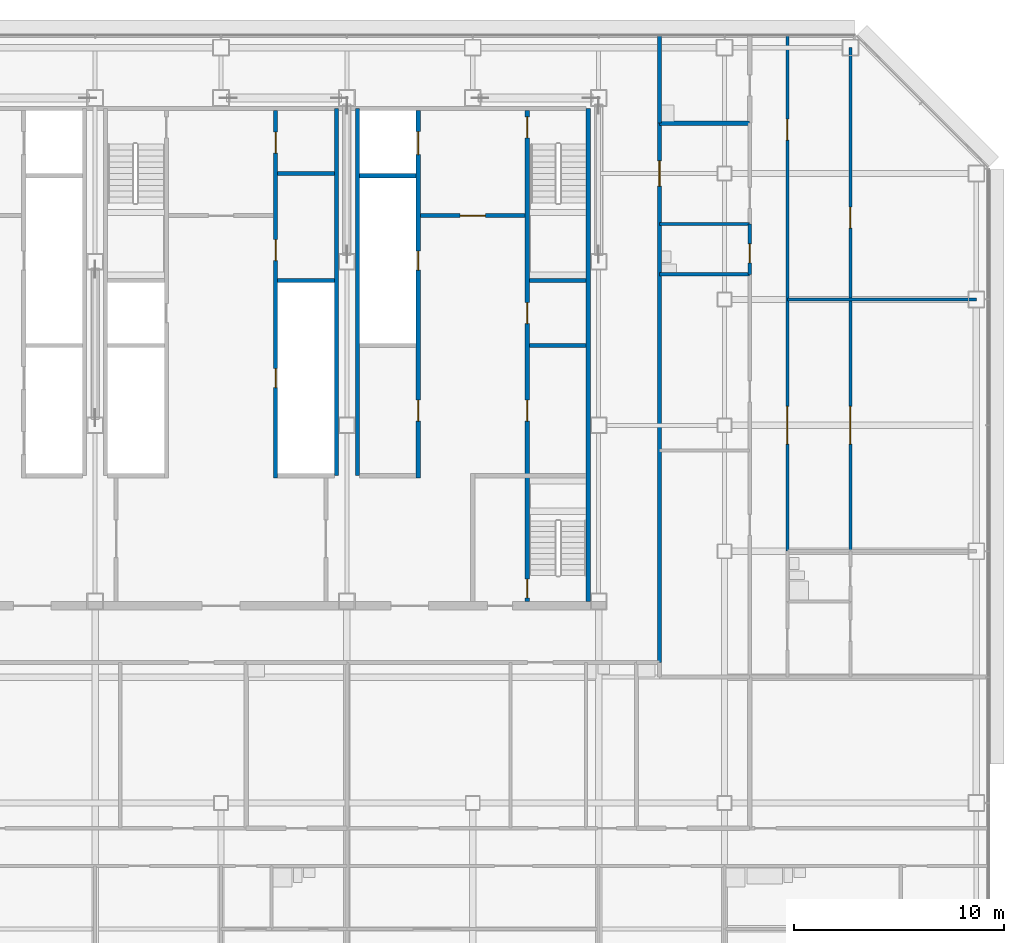
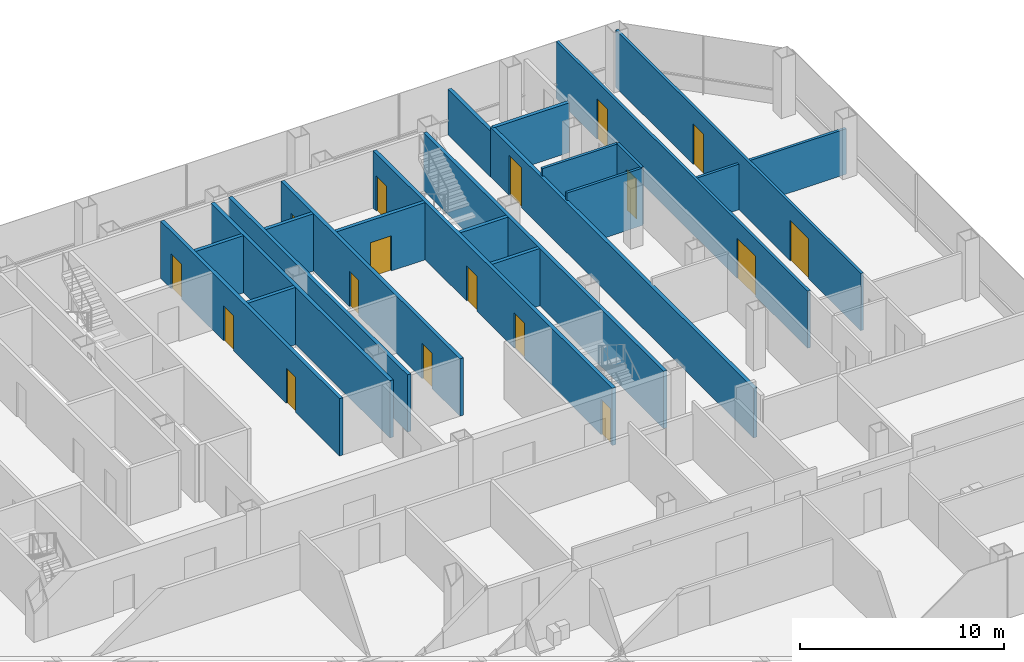
# One storey, part 22 of 25: 21 walls, 17 doors, 17 openings.
"""IFC4 building model written with IfcOpenShell, lengths in metres."""

from ifc_helpers import new_model, si_unit, direction, frame, frame_2d, origin, place, context, subcontext, project, spatial, rectangle, extrude, material, layer, layer_set, type_object, element, fill, save


model = new_model("IFC4")

# Units and contexts
model_context = context("Model", 3, precision=1e-05, world=origin(), true_north=direction((0.0, 1.0)))
body_context = subcontext(model_context, "Body", "Model", "MODEL_VIEW")
ifc_project = project(units=[si_unit("LENGTHUNIT", "METRE"), si_unit("AREAUNIT", "SQUARE_METRE"), si_unit("VOLUMEUNIT", "CUBIC_METRE"), si_unit("PLANEANGLEUNIT", "RADIAN"), si_unit("MASSUNIT", "GRAM", prefix="KILO")], contexts=[model_context])

# Site, building, storey
site_placement = place(None, origin())
site = spatial("IfcSite", under=ifc_project, at=site_placement, CompositionType="ELEMENT")
building_placement = place(site_placement, origin())
building = spatial("IfcBuilding", under=site, at=building_placement, Name="Sorahane Residences", CompositionType="ELEMENT")
storey_placement = place(building_placement, frame((0.0, 0.0, 130.39990234375)))
storey = spatial("IfcBuildingStorey", under=building, at=storey_placement, Name="L29", CompositionType="ELEMENT", Elevation=130.39990234375)

# Walls
ifc_material_1 = material(Name="Concrete C30", Category="concrete")
ifc_layer_1 = layer(ifc_material_1, 0.199951171875)
ifc_layer_set_1 = layer_set([ifc_layer_1], Name="Core face wall 200 EI 180")
wall_type_1 = type_object("IfcWallType", Name="Core face wall 200 EI 180", PredefinedType="SOLIDWALL", material=ifc_layer_set_1)
wall_1_placement = place(storey_placement, frame((41.5, 21.60009765625, 0.0), z_axis=(0.0, 0.0, 1.0), x_axis=(0.0, 1.0, 0.0)))
element("IfcWall", 1, at=wall_1_placement, inside=storey, type_object=wall_type_1, Name="L29 core face wall", PredefinedType="SOLIDWALL", context=body_context, shape_type="SweptSolid", body=[
    extrude(rectangle(XDim=23.5, YDim=0.199951171875, at=frame_2d((11.75, 0.0))), origin(), (0.0, 0.0, 1.0), 3.420166015625),
])
for number, where, z_axis, x_axis, name in (
    (2, (29.5, 27.60009765625, 0.0), (0.0, 0.0, 1.0), (0.0, 1.0, 0.0), "L29 core face wall"),
    (3, (30.5, 27.60009765625, 0.0), (0.0, 0.0, 1.0), (0.0, 1.0, 0.0), "L29 core face wall"),
):
    element("IfcWall", number, at=place(storey_placement, frame(where, z_axis=z_axis, x_axis=x_axis)), inside=storey, type_object=wall_type_1, Name=name, PredefinedType="SOLIDWALL", context=body_context, shape_type="SweptSolid", body=[
        extrude(rectangle(XDim=17.5, YDim=0.199951171875, at=frame_2d((8.75, 0.0))), origin(), (0.0, 0.0, 1.0), 3.420166015625),
    ])

# Wall, opening, door
ifc_material_2 = material(Name="Concrete blockwork C20 wall", Category="masonry")
ifc_layer_2 = layer(ifc_material_2, 0.199951171875)
ifc_layer_set_2 = layer_set([ifc_layer_2], Name="Corridor wall 200 EI 120")
wall_type_2 = type_object("IfcWallType", Name="Corridor wall 200 EI 120", PredefinedType="SOLIDWALL", material=ifc_layer_set_2)
wall_2_placement = place(storey_placement, frame((44.89990234375, 18.699951171875, 0.0), z_axis=(0.0, 0.0, 1.0), x_axis=(0.0, 1.0, 0.0)))
wall_2 = element("IfcWall", 4, at=wall_2_placement, inside=storey, type_object=wall_type_2, Name="L29 corridor wall", PredefinedType="SOLIDWALL", context=body_context, shape_type="SweptSolid", body=[
    extrude(rectangle(XDim=25.699951171875, YDim=0.199951171875, at=frame_2d((12.85009765625, 0.0))), origin(), (0.0, 0.0, 1.0), 2.97021484375),
])
opening_1_placement = place(wall_2_placement, frame((22.699951171875, 0.0, 0.0)))
opening_1 = element("IfcOpeningElement", 5, at=opening_1_placement, cuts=wall_2, Name="Opening L29-40", PredefinedType="OPENING", context=body_context, shape_type="SweptSolid", body=[
    extrude(rectangle(XDim=1.199951171875, YDim=2.39990234375, at=frame_2d((0.60009765625, 1.199951171875))), frame((0.0, 0.10986328125, 0.0), z_axis=(0.0, -1.0, 0.0), x_axis=(1.0, 0.0, 0.0)), (0.0, 0.0, 1.0), 0.219970703125),
])
ifc_material_3 = material(Name="Timber veneered fire door", Category="wood")
door_type_1 = type_object("IfcDoorType", Name="Flat entrance door 1200x2400 FD60", OperationType="NOTDEFINED", PredefinedType="DOOR", material=ifc_material_3)
door_1_placement = place(opening_1_placement, frame((1.199951171875, 0.0, 0.0), z_axis=(0.0, 0.0, 1.0), x_axis=(-1.0, 0.0, 0.0)))
door_1 = element("IfcDoor", 6, at=door_1_placement, inside=storey, type_object=door_type_1, Name="Flat entrance door L29-40", OperationType="SINGLE_SWING_LEFT", OverallHeight=2.39990234375, OverallWidth=1.199951171875, PredefinedType="DOOR", context=body_context, shape_type="SweptSolid", body=[
    extrude(rectangle(XDim=1.199951171875, YDim=2.39990234375, at=frame_2d((0.60009765625, 1.199951171875))), frame((0.0, 0.02490234375, 0.0), z_axis=(0.0, -1.0, 0.0), x_axis=(1.0, 0.0, 0.0)), (0.0, 0.0, 1.0), 0.050048828125),
])
fill(opening_1, door_1)

ifc_material_4 = material(Name="Concrete C30", Category="concrete")
ifc_layer_3 = layer(ifc_material_4, 0.199951171875)
ifc_layer_set_3 = layer_set([ifc_layer_3], Name="Front room wall 200 EI 120")
wall_type_3 = type_object("IfcWallType", Name="Front room wall 200 EI 120", PredefinedType="PARTITIONING", material=ifc_layer_set_3)
wall_3_placement = place(storey_placement, frame((33.5, 40.0, 0.0), z_axis=(0.0, 0.0, 1.0), x_axis=(1.0, 0.0, 0.0)))
wall_3 = element("IfcWall", 7, at=wall_3_placement, inside=storey, type_object=wall_type_3, Name="L29 front room wall", PredefinedType="PARTITIONING", context=body_context, shape_type="SweptSolid", body=[
    extrude(rectangle(XDim=5.0, YDim=0.199951171875, at=frame_2d((2.5, 0.0))), origin(), (0.0, 0.0, 1.0), 3.420166015625),
])
opening_2_placement = place(wall_3_placement, frame((1.89990234375, 0.0, 0.0)))
opening_2 = element("IfcOpeningElement", 8, at=opening_2_placement, cuts=wall_3, Name="Opening L29-C10", PredefinedType="OPENING", context=body_context, shape_type="SweptSolid", body=[
    extrude(rectangle(XDim=1.199951171875, YDim=2.10009765625, at=frame_2d((0.60009765625, 1.050048828125))), frame((0.0, 0.10986328125, 0.0), z_axis=(0.0, -1.0, 0.0), x_axis=(1.0, 0.0, 0.0)), (0.0, 0.0, 1.0), 0.219970703125),
])
ifc_material_5 = material(Name="Steel", Category="steel")
door_type_2 = type_object("IfcDoorType", Name="Front room door 1200x2100 FD120", OperationType="NOTDEFINED", PredefinedType="DOOR", material=ifc_material_5)
door_2_placement = place(opening_2_placement, frame((1.199951171875, 0.0, 0.0), z_axis=(0.0, 0.0, 1.0), x_axis=(-1.0, 0.0, 0.0)))
door_2 = element("IfcDoor", 9, at=door_2_placement, inside=storey, type_object=door_type_2, Name="Front room door Firefighting lobby FF2 front room L29", OperationType="DOUBLE_DOOR_SINGLE_SWING", OverallHeight=2.10009765625, OverallWidth=1.199951171875, PredefinedType="DOOR", context=body_context, shape_type="SweptSolid", body=[
    extrude(rectangle(XDim=1.199951171875, YDim=2.10009765625, at=frame_2d((0.60009765625, 1.050048828125))), frame((0.0, 0.02490234375, 0.0), z_axis=(0.0, -1.0, 0.0), x_axis=(1.0, 0.0, 0.0)), (0.0, 0.0, 1.0), 0.050048828125),
])
fill(opening_2, door_2)

# Walls
ifc_material_6 = material(Name="Concrete blockwork C20 wall", Category="masonry")
ifc_layer_4 = layer(ifc_material_6, 0.199951171875)
ifc_layer_set_4 = layer_set([ifc_layer_4], Name="Kitchen wall 200 EI 180")
wall_type_4 = type_object("IfcWallType", Name="Kitchen wall 200 EI 180", PredefinedType="SOLIDWALL", material=ifc_layer_set_4)
wall_4_placement = place(storey_placement, frame((44.89990234375, 44.39990234375, 0.0), z_axis=(0.0, 0.0, 1.0), x_axis=(0.0, 1.0, 0.0)))
element("IfcWall", 10, at=wall_4_placement, inside=storey, type_object=wall_type_4, Name="L29 kitchen wall", PredefinedType="SOLIDWALL", context=body_context, shape_type="SweptSolid", body=[
    extrude(rectangle(XDim=4.2001953125, YDim=0.199951171875, at=frame_2d((2.10009765625, 0.0))), origin(), (0.0, 0.0, 1.0), 2.72021484375),
])
wall_5_placement = place(storey_placement, frame((44.89990234375, 44.39990234375, 0.0), z_axis=(0.0, 0.0, 1.0), x_axis=(1.0, 0.0, 0.0)))
element("IfcWall", 11, at=wall_5_placement, inside=storey, type_object=wall_type_4, Name="L29 kitchen wall", PredefinedType="SOLIDWALL", context=body_context, shape_type="SweptSolid", body=[
    extrude(rectangle(XDim=4.300048828125, YDim=0.199951171875, at=frame_2d((2.14990234375, 0.0))), origin(), (0.0, 0.0, 1.0), 2.97021484375),
])

# Wall, openings, doors
ifc_material_7 = material(Name="Concrete C30", Category="concrete")
ifc_layer_5 = layer(ifc_material_7, 0.199951171875)
ifc_layer_set_5 = layer_set([ifc_layer_5], Name="Lift shaft wall 200 EI 120")
wall_type_5 = type_object("IfcWallType", Name="Lift shaft wall 200 EI 120", PredefinedType="SOLIDWALL", material=ifc_layer_set_5)
wall_6_placement = place(storey_placement, frame((33.39990234375, 27.5, 0.0), z_axis=(0.0, 0.0, 1.0), x_axis=(0.0, 1.0, 0.0)))
wall_6 = element("IfcWall", 12, at=wall_6_placement, inside=storey, type_object=wall_type_5, Name="L29 lift shaft wall", PredefinedType="SOLIDWALL", context=body_context, shape_type="SweptSolid", body=[
    extrude(rectangle(XDim=17.5, YDim=0.199951171875, at=frame_2d((8.75, 0.0))), origin(), (0.0, 0.0, 1.0), 3.420166015625),
])
opening_3_placement = place(wall_6_placement, frame((15.39990234375, 0.0, 0.0)))
opening_3 = element("IfcOpeningElement", 13, at=opening_3_placement, cuts=wall_6, Name="Opening L29-C11", PredefinedType="OPENING", context=body_context, shape_type="SweptSolid", body=[
    extrude(rectangle(XDim=1.10009765625, YDim=2.10009765625, at=frame_2d((0.550048828125, 1.050048828125))), frame((0.0, 0.10986328125, 0.0), z_axis=(0.0, -1.0, 0.0), x_axis=(1.0, 0.0, 0.0)), (0.0, 0.0, 1.0), 0.219970703125),
])
opening_4_placement = place(wall_6_placement, frame((2.699951171875, 0.0, 0.0)))
opening_4 = element("IfcOpeningElement", 14, at=opening_4_placement, cuts=wall_6, Name="Opening L29-C20", PredefinedType="OPENING", context=body_context, shape_type="SweptSolid", body=[
    extrude(rectangle(XDim=1.0, YDim=2.10009765625, at=frame_2d((0.5, 1.050048828125))), frame((0.0, 0.10986328125, 0.0), z_axis=(0.0, -1.0, 0.0), x_axis=(1.0, 0.0, 0.0)), (0.0, 0.0, 1.0), 0.219970703125),
])
opening_5_placement = place(wall_6_placement, frame((9.89990234375, 0.0, 0.0)))
opening_5 = element("IfcOpeningElement", 15, at=opening_5_placement, cuts=wall_6, Name="Opening L29-C27", PredefinedType="OPENING", context=body_context, shape_type="SweptSolid", body=[
    extrude(rectangle(XDim=0.89990234375, YDim=2.10009765625, at=frame_2d((0.449951171875, 1.050048828125))), frame((0.0, 0.10986328125, 0.0), z_axis=(0.0, -1.0, 0.0), x_axis=(1.0, 0.0, 0.0)), (0.0, 0.0, 1.0), 0.219970703125),
])
ifc_material_8 = material(Name="Aluminium and stainless steel", Category="steel")
door_type_3 = type_object("IfcDoorType", Name="Lift landing door 1100x2100 E 60", OperationType="NOTDEFINED", PredefinedType="DOOR", material=ifc_material_8)
door_3_placement = place(opening_3_placement, origin())
door_3 = element("IfcDoor", 16, at=door_3_placement, inside=storey, type_object=door_type_3, Name="Lift landing door FF2 L29", OperationType="DOUBLE_DOOR_SLIDING", OverallHeight=2.10009765625, OverallWidth=1.10009765625, PredefinedType="DOOR", context=body_context, shape_type="SweptSolid", body=[
    extrude(rectangle(XDim=1.10009765625, YDim=2.10009765625, at=frame_2d((0.550048828125, 1.050048828125))), frame((0.0, 0.02490234375, 0.0), z_axis=(0.0, -1.0, 0.0), x_axis=(1.0, 0.0, 0.0)), (0.0, 0.0, 1.0), 0.050048828125),
])
fill(opening_3, door_3)
ifc_material_9 = material(Name="Steel", Category="steel")
door_type_4 = type_object("IfcDoorType", Name="Riser door 900x2100 FD120", OperationType="NOTDEFINED", PredefinedType="DOOR", material=ifc_material_9)
door_4_placement = place(opening_5_placement, frame((0.89990234375, 0.0, 0.0), z_axis=(0.0, 0.0, 1.0), x_axis=(-1.0, 0.0, 0.0)))
door_4 = element("IfcDoor", 17, at=door_4_placement, inside=storey, type_object=door_type_4, Name="Riser door R2 L29", OperationType="SINGLE_SWING_LEFT", OverallHeight=2.10009765625, OverallWidth=0.89990234375, PredefinedType="DOOR", context=body_context, shape_type="SweptSolid", body=[
    extrude(rectangle(XDim=0.89990234375, YDim=2.10009765625, at=frame_2d((0.449951171875, 1.050048828125))), frame((0.0, 0.02490234375, 0.0), z_axis=(0.0, -1.0, 0.0), x_axis=(1.0, 0.0, 0.0)), (0.0, 0.0, 1.0), 0.050048828125),
])
fill(opening_5, door_4)
ifc_material_10 = material(Name="Steel", Category="steel")
door_type_5 = type_object("IfcDoorType", Name="Service room door 1000x2100 FD60", OperationType="NOTDEFINED", PredefinedType="DOOR", material=ifc_material_10)
door_5_placement = place(opening_4_placement, origin())
door_5 = element("IfcDoor", 18, at=door_5_placement, inside=storey, type_object=door_type_5, Name="Service room door Linen store L29", OperationType="SINGLE_SWING_RIGHT", OverallHeight=2.10009765625, OverallWidth=1.0, PredefinedType="DOOR", context=body_context, shape_type="SweptSolid", body=[
    extrude(rectangle(XDim=1.0, YDim=2.10009765625, at=frame_2d((0.5, 1.050048828125))), frame((0.0, 0.02490234375, 0.0), z_axis=(0.0, -1.0, 0.0), x_axis=(1.0, 0.0, 0.0)), (0.0, 0.0, 1.0), 0.050048828125),
])
fill(opening_4, door_5)

# Wall
wall_7_placement = place(storey_placement, frame((30.60009765625, 41.89990234375, 0.0), z_axis=(0.0, 0.0, 1.0), x_axis=(1.0, 0.0, 0.0)))
element("IfcWall", 19, at=wall_7_placement, inside=storey, type_object=wall_type_5, Name="L29 lift shaft wall", PredefinedType="SOLIDWALL", context=body_context, shape_type="SweptSolid", body=[
    extrude(rectangle(XDim=2.699951171875, YDim=0.199951171875, at=frame_2d((1.35009765625, 0.0))), origin(), (0.0, 0.0, 1.0), 3.420166015625),
])

# Wall, openings, doors
ifc_material_11 = material(Name="Gypsum board partition on steel studs", Category="steel")
ifc_layer_6 = layer(ifc_material_11, 0.14990234375)
ifc_layer_set_6 = layer_set([ifc_layer_6], Name="Partition 150 EI 90")
wall_type_6 = type_object("IfcWallType", Name="Partition 150 EI 90", PredefinedType="PARTITIONING", material=ifc_layer_set_6)
wall_8_placement = place(storey_placement, frame((51.0, 24.0, 0.0), z_axis=(0.0, 0.0, 1.0), x_axis=(0.0, 1.0, 0.0)))
wall_8 = element("IfcWall", 20, at=wall_8_placement, inside=storey, type_object=wall_type_6, Name="L29 partition", PredefinedType="PARTITIONING", context=body_context, shape_type="SweptSolid", body=[
    extrude(rectangle(XDim=24.60009765625, YDim=0.14990234375, at=frame_2d((12.300048828125, 0.0))), origin(), (0.0, 0.0, 1.0), 3.420166015625),
])
opening_6_placement = place(wall_8_placement, frame((5.10009765625, 0.0, 0.0)))
opening_6 = element("IfcOpeningElement", 21, at=opening_6_placement, cuts=wall_8, Name="Opening L29-32", PredefinedType="OPENING", context=body_context, shape_type="SweptSolid", body=[
    extrude(rectangle(XDim=1.800048828125, YDim=2.39990234375, at=frame_2d((0.89990234375, 1.199951171875))), frame((0.0, 0.0849609375, 0.0), z_axis=(0.0, -1.0, 0.0), x_axis=(1.0, 0.0, 0.0)), (0.0, 0.0, 1.0), 0.169921875),
])
opening_7_placement = place(wall_8_placement, frame((19.60009765625, 0.0, 0.0)))
opening_7 = element("IfcOpeningElement", 22, at=opening_7_placement, cuts=wall_8, Name="Opening L29-33", PredefinedType="OPENING", context=body_context, shape_type="SweptSolid", body=[
    extrude(rectangle(XDim=1.0, YDim=2.39990234375, at=frame_2d((0.5, 1.199951171875))), frame((0.0, 0.0849609375, 0.0), z_axis=(0.0, -1.0, 0.0), x_axis=(1.0, 0.0, 0.0)), (0.0, 0.0, 1.0), 0.169921875),
])
ifc_material_12 = material(Name="Timber veneered fire door", Category="wood")
door_type_6 = type_object("IfcDoorType", Name="Double door 1800x2400 FD30", OperationType="NOTDEFINED", PredefinedType="DOOR", material=ifc_material_12)
door_6_placement = place(opening_6_placement, frame((1.800048828125, 0.0, 0.0), z_axis=(0.0, 0.0, 1.0), x_axis=(-1.0, 0.0, 0.0)))
door_6 = element("IfcDoor", 23, at=door_6_placement, inside=storey, type_object=door_type_6, Name="Double door L29-32", OperationType="SINGLE_SWING_RIGHT", OverallHeight=2.39990234375, OverallWidth=1.800048828125, PredefinedType="DOOR", context=body_context, shape_type="SweptSolid", body=[
    extrude(rectangle(XDim=1.800048828125, YDim=2.39990234375, at=frame_2d((0.89990234375, 1.199951171875))), frame((0.0, 0.02490234375, 0.0), z_axis=(0.0, -1.0, 0.0), x_axis=(1.0, 0.0, 0.0)), (0.0, 0.0, 1.0), 0.050048828125),
])
fill(opening_6, door_6)
ifc_material_13 = material(Name="Timber veneered fire door", Category="wood")
door_type_7 = type_object("IfcDoorType", Name="Room door 1000x2400 FD30", OperationType="NOTDEFINED", PredefinedType="DOOR", material=ifc_material_13)
door_7_placement = place(opening_7_placement, frame((1.0, 0.0, 0.0), z_axis=(0.0, 0.0, 1.0), x_axis=(-1.0, 0.0, 0.0)))
door_7 = element("IfcDoor", 24, at=door_7_placement, inside=storey, type_object=door_type_7, Name="Room door L29-33", OperationType="SINGLE_SWING_LEFT", OverallHeight=2.39990234375, OverallWidth=1.0, PredefinedType="DOOR", context=body_context, shape_type="SweptSolid", body=[
    extrude(rectangle(XDim=1.0, YDim=2.39990234375, at=frame_2d((0.5, 1.199951171875))), frame((0.0, 0.02490234375, 0.0), z_axis=(0.0, -1.0, 0.0), x_axis=(1.0, 0.0, 0.0)), (0.0, 0.0, 1.0), 0.050048828125),
])
fill(opening_7, door_7)

wall_9_placement = place(storey_placement, frame((54.0, 24.0, 0.0), z_axis=(0.0, 0.0, 1.0), x_axis=(0.0, 1.0, 0.0)))
wall_9 = element("IfcWall", 25, at=wall_9_placement, inside=storey, type_object=wall_type_6, Name="L29 partition", PredefinedType="PARTITIONING", context=body_context, shape_type="SweptSolid", body=[
    extrude(rectangle(XDim=24.0, YDim=0.14990234375, at=frame_2d((12.0, 0.0))), origin(), (0.0, 0.0, 1.0), 3.420166015625),
])
opening_8_placement = place(wall_9_placement, frame((5.10009765625, 0.0, 0.0)))
opening_8 = element("IfcOpeningElement", 26, at=opening_8_placement, cuts=wall_9, Name="Opening L29-36", PredefinedType="OPENING", context=body_context, shape_type="SweptSolid", body=[
    extrude(rectangle(XDim=1.800048828125, YDim=2.39990234375, at=frame_2d((0.89990234375, 1.199951171875))), frame((0.0, 0.0849609375, 0.0), z_axis=(0.0, -1.0, 0.0), x_axis=(1.0, 0.0, 0.0)), (0.0, 0.0, 1.0), 0.169921875),
])
opening_9_placement = place(wall_9_placement, frame((15.39990234375, 0.0, 0.0)))
opening_9 = element("IfcOpeningElement", 27, at=opening_9_placement, cuts=wall_9, Name="Opening L29-37", PredefinedType="OPENING", context=body_context, shape_type="SweptSolid", body=[
    extrude(rectangle(XDim=1.0, YDim=2.39990234375, at=frame_2d((0.5, 1.199951171875))), frame((0.0, 0.0849609375, 0.0), z_axis=(0.0, -1.0, 0.0), x_axis=(1.0, 0.0, 0.0)), (0.0, 0.0, 1.0), 0.169921875),
])
door_8_placement = place(opening_8_placement, frame((1.800048828125, 0.0, 0.0), z_axis=(0.0, 0.0, 1.0), x_axis=(-1.0, 0.0, 0.0)))
door_8 = element("IfcDoor", 28, at=door_8_placement, inside=storey, type_object=door_type_6, Name="Double door L29-36", OperationType="SINGLE_SWING_RIGHT", OverallHeight=2.39990234375, OverallWidth=1.800048828125, PredefinedType="DOOR", context=body_context, shape_type="SweptSolid", body=[
    extrude(rectangle(XDim=1.800048828125, YDim=2.39990234375, at=frame_2d((0.89990234375, 1.199951171875))), frame((0.0, 0.02490234375, 0.0), z_axis=(0.0, -1.0, 0.0), x_axis=(1.0, 0.0, 0.0)), (0.0, 0.0, 1.0), 0.050048828125),
])
fill(opening_8, door_8)
door_9_placement = place(opening_9_placement, frame((1.0, 0.0, 0.0), z_axis=(0.0, 0.0, 1.0), x_axis=(-1.0, 0.0, 0.0)))
door_9 = element("IfcDoor", 29, at=door_9_placement, inside=storey, type_object=door_type_7, Name="Room door L29-37", OperationType="SINGLE_SWING_RIGHT", OverallHeight=2.39990234375, OverallWidth=1.0, PredefinedType="DOOR", context=body_context, shape_type="SweptSolid", body=[
    extrude(rectangle(XDim=1.0, YDim=2.39990234375, at=frame_2d((0.5, 1.199951171875))), frame((0.0, 0.02490234375, 0.0), z_axis=(0.0, -1.0, 0.0), x_axis=(1.0, 0.0, 0.0)), (0.0, 0.0, 1.0), 0.050048828125),
])
fill(opening_9, door_9)

# Wall
wall_10_placement = place(storey_placement, frame((51.0, 36.0, 0.0), z_axis=(0.0, 0.0, 1.0), x_axis=(1.0, 0.0, 0.0)))
element("IfcWall", 30, at=wall_10_placement, inside=storey, type_object=wall_type_6, Name="L29 partition", PredefinedType="PARTITIONING", context=body_context, shape_type="SweptSolid", body=[
    extrude(rectangle(XDim=9.0, YDim=0.14990234375, at=frame_2d((4.5, 0.0))), origin(), (0.0, 0.0, 1.0), 2.72021484375),
])

# Wall, openings, doors
ifc_material_14 = material(Name="Concrete C30", Category="concrete")
ifc_layer_7 = layer(ifc_material_14, 0.199951171875)
ifc_layer_set_7 = layer_set([ifc_layer_7], Name="Riser shaft wall 200 EI 120")
wall_type_7 = type_object("IfcWallType", Name="Riser shaft wall 200 EI 120", PredefinedType="SOLIDWALL", material=ifc_layer_set_7)
wall_11_placement = place(storey_placement, frame((26.60009765625, 27.5, 0.0), z_axis=(0.0, 0.0, 1.0), x_axis=(0.0, 1.0, 0.0)))
wall_11 = element("IfcWall", 31, at=wall_11_placement, inside=storey, type_object=wall_type_7, Name="L29 riser wall", PredefinedType="SOLIDWALL", context=body_context, shape_type="SweptSolid", body=[
    extrude(rectangle(XDim=17.5, YDim=0.199951171875, at=frame_2d((8.75, 0.0))), origin(), (0.0, 0.0, 1.0), 3.420166015625),
])
opening_10_placement = place(wall_11_placement, frame((4.300048828125, 0.0, 0.0)))
opening_10 = element("IfcOpeningElement", 32, at=opening_10_placement, cuts=wall_11, Name="Opening L29-C29", PredefinedType="OPENING", context=body_context, shape_type="SweptSolid", body=[
    extrude(rectangle(XDim=0.89990234375, YDim=2.10009765625, at=frame_2d((0.449951171875, 1.050048828125))), frame((0.0, 0.10986328125, 0.0), z_axis=(0.0, -1.0, 0.0), x_axis=(1.0, 0.0, 0.0)), (0.0, 0.0, 1.0), 0.219970703125),
])
opening_11_placement = place(wall_11_placement, frame((10.35009765625, 0.0, 0.0)))
opening_11 = element("IfcOpeningElement", 33, at=opening_11_placement, cuts=wall_11, Name="Opening L29-C30", PredefinedType="OPENING", context=body_context, shape_type="SweptSolid", body=[
    extrude(rectangle(XDim=1.0, YDim=2.10009765625, at=frame_2d((0.5, 1.050048828125))), frame((0.0, 0.10986328125, 0.0), z_axis=(0.0, -1.0, 0.0), x_axis=(1.0, 0.0, 0.0)), (0.0, 0.0, 1.0), 0.219970703125),
])
opening_12_placement = place(wall_11_placement, frame((15.47509765625, 0.0, 0.0)))
opening_12 = element("IfcOpeningElement", 34, at=opening_12_placement, cuts=wall_11, Name="Opening L29-C31", PredefinedType="OPENING", context=body_context, shape_type="SweptSolid", body=[
    extrude(rectangle(XDim=1.0, YDim=2.10009765625, at=frame_2d((0.5, 1.050048828125))), frame((0.0, 0.10986328125, 0.0), z_axis=(0.0, -1.0, 0.0), x_axis=(1.0, 0.0, 0.0)), (0.0, 0.0, 1.0), 0.219970703125),
])
door_10_placement = place(opening_10_placement, origin())
door_10 = element("IfcDoor", 35, at=door_10_placement, inside=storey, type_object=door_type_4, Name="Riser door R4 L29", OperationType="SINGLE_SWING_LEFT", OverallHeight=2.10009765625, OverallWidth=0.89990234375, PredefinedType="DOOR", context=body_context, shape_type="SweptSolid", body=[
    extrude(rectangle(XDim=0.89990234375, YDim=2.10009765625, at=frame_2d((0.449951171875, 1.050048828125))), frame((0.0, 0.02490234375, 0.0), z_axis=(0.0, -1.0, 0.0), x_axis=(1.0, 0.0, 0.0)), (0.0, 0.0, 1.0), 0.050048828125),
])
fill(opening_10, door_10)
door_11_placement = place(opening_11_placement, frame((1.0, 0.0, 0.0), z_axis=(0.0, 0.0, 1.0), x_axis=(-1.0, 0.0, 0.0)))
door_11 = element("IfcDoor", 36, at=door_11_placement, inside=storey, type_object=door_type_5, Name="Service room door Parcel room L29", OperationType="SINGLE_SWING_LEFT", OverallHeight=2.10009765625, OverallWidth=1.0, PredefinedType="DOOR", context=body_context, shape_type="SweptSolid", body=[
    extrude(rectangle(XDim=1.0, YDim=2.10009765625, at=frame_2d((0.5, 1.050048828125))), frame((0.0, 0.02490234375, 0.0), z_axis=(0.0, -1.0, 0.0), x_axis=(1.0, 0.0, 0.0)), (0.0, 0.0, 1.0), 0.050048828125),
])
fill(opening_11, door_11)
door_12_placement = place(opening_12_placement, frame((1.0, 0.0, 0.0), z_axis=(0.0, 0.0, 1.0), x_axis=(-1.0, 0.0, 0.0)))
door_12 = element("IfcDoor", 37, at=door_12_placement, inside=storey, type_object=door_type_5, Name="Service room door Refuse room L29", OperationType="SINGLE_SWING_RIGHT", OverallHeight=2.10009765625, OverallWidth=1.0, PredefinedType="DOOR", context=body_context, shape_type="SweptSolid", body=[
    extrude(rectangle(XDim=1.0, YDim=2.10009765625, at=frame_2d((0.5, 1.050048828125))), frame((0.0, 0.02490234375, 0.0), z_axis=(0.0, -1.0, 0.0), x_axis=(1.0, 0.0, 0.0)), (0.0, 0.0, 1.0), 0.050048828125),
])
fill(opening_12, door_12)

# Walls
wall_12_placement = place(storey_placement, frame((26.699951171875, 36.89990234375, 0.0), z_axis=(0.0, 0.0, 1.0), x_axis=(1.0, 0.0, 0.0)))
element("IfcWall", 38, at=wall_12_placement, inside=storey, type_object=wall_type_7, Name="L29 riser wall", PredefinedType="SOLIDWALL", context=body_context, shape_type="SweptSolid", body=[
    extrude(rectangle(XDim=2.699951171875, YDim=0.199951171875, at=frame_2d((1.35009765625, 0.0))), origin(), (0.0, 0.0, 1.0), 3.420166015625),
])
ifc_material_15 = material(Name="Concrete C30", Category="concrete")
ifc_layer_8 = layer(ifc_material_15, 0.199951171875)
ifc_layer_set_8 = layer_set([ifc_layer_8], Name="Service room partition 200 EI 60")
wall_type_8 = type_object("IfcWallType", Name="Service room partition 200 EI 60", PredefinedType="PARTITIONING", material=ifc_layer_set_8)
for number, where, z_axis, x_axis, name in (
    (39, (38.699951171875, 33.800048828125, 0.0), (0.0, 0.0, 1.0), (1.0, 0.0, 0.0), "L29 service room wall"),
    (40, (26.699951171875, 42.0, 0.0), (0.0, 0.0, 1.0), (1.0, 0.0, 0.0), "L29 service room wall"),
):
    element("IfcWall", number, at=place(storey_placement, frame(where, z_axis=z_axis, x_axis=x_axis)), inside=storey, type_object=wall_type_8, Name=name, PredefinedType="PARTITIONING", context=body_context, shape_type="SweptSolid", body=[
        extrude(rectangle(XDim=2.699951171875, YDim=0.199951171875, at=frame_2d((1.35009765625, 0.0))), origin(), (0.0, 0.0, 1.0), 3.420166015625),
    ])

# Wall, openings, doors
ifc_material_16 = material(Name="Concrete C30", Category="concrete")
ifc_layer_9 = layer(ifc_material_16, 0.199951171875)
ifc_layer_set_9 = layer_set([ifc_layer_9], Name="Stair enclosure wall 200 EI 120")
wall_type_9 = type_object("IfcWallType", Name="Stair enclosure wall 200 EI 120", PredefinedType="SOLIDWALL", material=ifc_layer_set_9)
wall_13_placement = place(storey_placement, frame((38.60009765625, 21.60009765625, 0.0), z_axis=(0.0, 0.0, 1.0), x_axis=(0.0, 1.0, 0.0)))
wall_13 = element("IfcWall", 41, at=wall_13_placement, inside=storey, type_object=wall_type_9, Name="L29 stair enclosure wall", PredefinedType="SOLIDWALL", context=body_context, shape_type="SweptSolid", body=[
    extrude(rectangle(XDim=23.39990234375, YDim=0.199951171875, at=frame_2d((11.699951171875, 0.0))), origin(), (0.0, 0.0, 1.0), 3.420166015625),
])
opening_13_placement = place(wall_13_placement, frame((8.60009765625, 0.0, 0.0)))
opening_13 = element("IfcOpeningElement", 42, at=opening_13_placement, cuts=wall_13, Name="Opening L29-C18", PredefinedType="OPENING", context=body_context, shape_type="SweptSolid", body=[
    extrude(rectangle(XDim=1.0, YDim=2.10009765625, at=frame_2d((0.5, 1.050048828125))), frame((0.0, 0.10986328125, 0.0), z_axis=(0.0, -1.0, 0.0), x_axis=(1.0, 0.0, 0.0)), (0.0, 0.0, 1.0), 0.219970703125),
])
opening_14_placement = place(wall_13_placement, frame((13.25, 0.0, 0.0)))
opening_14 = element("IfcOpeningElement", 43, at=opening_14_placement, cuts=wall_13, Name="Opening L29-C19", PredefinedType="OPENING", context=body_context, shape_type="SweptSolid", body=[
    extrude(rectangle(XDim=1.0, YDim=2.10009765625, at=frame_2d((0.5, 1.050048828125))), frame((0.0, 0.10986328125, 0.0), z_axis=(0.0, -1.0, 0.0), x_axis=(1.0, 0.0, 0.0)), (0.0, 0.0, 1.0), 0.219970703125),
])
opening_15_placement = place(wall_13_placement, frame((22.10009765625, 0.0, 0.0)))
opening_15 = element("IfcOpeningElement", 44, at=opening_15_placement, cuts=wall_13, Name="Opening L29-C22", PredefinedType="OPENING", context=body_context, shape_type="SweptSolid", body=[
    extrude(rectangle(XDim=1.0, YDim=2.10009765625, at=frame_2d((0.5, 1.050048828125))), frame((0.0, 0.10986328125, 0.0), z_axis=(0.0, -1.0, 0.0), x_axis=(1.0, 0.0, 0.0)), (0.0, 0.0, 1.0), 0.219970703125),
])
opening_16_placement = place(wall_13_placement, frame((0.175048828125, 0.0, 0.0)))
opening_16 = element("IfcOpeningElement", 45, at=opening_16_placement, cuts=wall_13, Name="Opening L29-C25", PredefinedType="OPENING", context=body_context, shape_type="SweptSolid", body=[
    extrude(rectangle(XDim=0.89990234375, YDim=2.10009765625, at=frame_2d((0.449951171875, 1.050048828125))), frame((0.0, 0.10986328125, 0.0), z_axis=(0.0, -1.0, 0.0), x_axis=(1.0, 0.0, 0.0)), (0.0, 0.0, 1.0), 0.219970703125),
])
door_13_placement = place(opening_13_placement, frame((1.0, 0.0, 0.0), z_axis=(0.0, 0.0, 1.0), x_axis=(-1.0, 0.0, 0.0)))
door_13 = element("IfcDoor", 46, at=door_13_placement, inside=storey, type_object=door_type_5, Name="Service room door Linen store L29", OperationType="SINGLE_SWING_RIGHT", OverallHeight=2.10009765625, OverallWidth=1.0, PredefinedType="DOOR", context=body_context, shape_type="SweptSolid", body=[
    extrude(rectangle(XDim=1.0, YDim=2.10009765625, at=frame_2d((0.5, 1.050048828125))), frame((0.0, 0.02490234375, 0.0), z_axis=(0.0, -1.0, 0.0), x_axis=(1.0, 0.0, 0.0)), (0.0, 0.0, 1.0), 0.050048828125),
])
fill(opening_13, door_13)
door_14_placement = place(opening_14_placement, frame((1.0, 0.0, 0.0), z_axis=(0.0, 0.0, 1.0), x_axis=(-1.0, 0.0, 0.0)))
door_14 = element("IfcDoor", 47, at=door_14_placement, inside=storey, type_object=door_type_5, Name="Service room door Linen store L29", OperationType="SINGLE_SWING_LEFT", OverallHeight=2.10009765625, OverallWidth=1.0, PredefinedType="DOOR", context=body_context, shape_type="SweptSolid", body=[
    extrude(rectangle(XDim=1.0, YDim=2.10009765625, at=frame_2d((0.5, 1.050048828125))), frame((0.0, 0.02490234375, 0.0), z_axis=(0.0, -1.0, 0.0), x_axis=(1.0, 0.0, 0.0)), (0.0, 0.0, 1.0), 0.050048828125),
])
fill(opening_14, door_14)
ifc_material_17 = material(Name="Steel", Category="steel")
door_type_8 = type_object("IfcDoorType", Name="Stair door 1000x2100 FD120", OperationType="NOTDEFINED", PredefinedType="DOOR", material=ifc_material_17)
door_15_placement = place(opening_15_placement, frame((1.0, 0.0, 0.0), z_axis=(0.0, 0.0, 1.0), x_axis=(-1.0, 0.0, 0.0)))
door_15 = element("IfcDoor", 48, at=door_15_placement, inside=storey, type_object=door_type_8, Name="Stair door S2 L29", OperationType="SINGLE_SWING_LEFT", OverallHeight=2.10009765625, OverallWidth=1.0, PredefinedType="DOOR", context=body_context, shape_type="SweptSolid", body=[
    extrude(rectangle(XDim=1.0, YDim=2.10009765625, at=frame_2d((0.5, 1.050048828125))), frame((0.0, 0.02490234375, 0.0), z_axis=(0.0, -1.0, 0.0), x_axis=(1.0, 0.0, 0.0)), (0.0, 0.0, 1.0), 0.050048828125),
])
fill(opening_15, door_15)
ifc_material_18 = material(Name="Steel", Category="steel")
door_type_9 = type_object("IfcDoorType", Name="Stair door 900x2100 FD120", OperationType="NOTDEFINED", PredefinedType="DOOR", material=ifc_material_18)
door_16_placement = place(opening_16_placement, frame((0.89990234375, 0.0, 0.0), z_axis=(0.0, 0.0, 1.0), x_axis=(-1.0, 0.0, 0.0)))
door_16 = element("IfcDoor", 49, at=door_16_placement, inside=storey, type_object=door_type_9, Name="Stair door S5 L29", OperationType="SINGLE_SWING_LEFT", OverallHeight=2.10009765625, OverallWidth=0.89990234375, PredefinedType="DOOR", context=body_context, shape_type="SweptSolid", body=[
    extrude(rectangle(XDim=0.89990234375, YDim=2.10009765625, at=frame_2d((0.449951171875, 1.050048828125))), frame((0.0, 0.02490234375, 0.0), z_axis=(0.0, -1.0, 0.0), x_axis=(1.0, 0.0, 0.0)), (0.0, 0.0, 1.0), 0.050048828125),
])
fill(opening_16, door_16)

# Wall
wall_14_placement = place(storey_placement, frame((38.699951171875, 36.89990234375, 0.0), z_axis=(0.0, 0.0, 1.0), x_axis=(1.0, 0.0, 0.0)))
element("IfcWall", 50, at=wall_14_placement, inside=storey, type_object=wall_type_9, Name="L29 stair enclosure wall", PredefinedType="SOLIDWALL", context=body_context, shape_type="SweptSolid", body=[
    extrude(rectangle(XDim=2.699951171875, YDim=0.199951171875, at=frame_2d((1.35009765625, 0.0))), origin(), (0.0, 0.0, 1.0), 3.420166015625),
])

# Wall, opening, door
ifc_material_19 = material(Name="Gypsum board partition on steel studs", Category="steel")
ifc_layer_10 = layer(ifc_material_19, 0.14990234375)
ifc_layer_set_10 = layer_set([ifc_layer_10], Name="Wet wall 150 EI 90")
wall_type_10 = type_object("IfcWallType", Name="Wet wall 150 EI 90", PredefinedType="PARTITIONING", material=ifc_layer_set_10)
wall_15_placement = place(storey_placement, frame((49.199951171875, 37.199951171875, 0.0), z_axis=(0.0, 0.0, 1.0), x_axis=(0.0, 1.0, 0.0)))
wall_15 = element("IfcWall", 51, at=wall_15_placement, inside=storey, type_object=wall_type_10, Name="L29 wet wall", PredefinedType="PARTITIONING", context=body_context, shape_type="SweptSolid", body=[
    extrude(rectangle(XDim=2.400146484375, YDim=0.14990234375, at=frame_2d((1.2001953125, 0.0))), origin(), (0.0, 0.0, 1.0), 3.420166015625),
])
opening_17_placement = place(wall_15_placement, frame((0.550048828125, 0.0, 0.0)))
opening_17 = element("IfcOpeningElement", 52, at=opening_17_placement, cuts=wall_15, Name="Opening L29-29", PredefinedType="OPENING", context=body_context, shape_type="SweptSolid", body=[
    extrude(rectangle(XDim=0.89990234375, YDim=2.39990234375, at=frame_2d((0.449951171875, 1.199951171875))), frame((0.0, 0.0849609375, 0.0), z_axis=(0.0, -1.0, 0.0), x_axis=(1.0, 0.0, 0.0)), (0.0, 0.0, 1.0), 0.169921875),
])
ifc_material_20 = material(Name="Timber veneered fire door", Category="wood")
door_type_10 = type_object("IfcDoorType", Name="Bathroom door 900x2400 FD30", OperationType="NOTDEFINED", PredefinedType="DOOR", material=ifc_material_20)
door_17_placement = place(opening_17_placement, frame((0.89990234375, 0.0, 0.0), z_axis=(0.0, 0.0, 1.0), x_axis=(-1.0, 0.0, 0.0)))
door_17 = element("IfcDoor", 53, at=door_17_placement, inside=storey, type_object=door_type_10, Name="Bathroom door L29-29", OperationType="SINGLE_SWING_RIGHT", OverallHeight=2.39990234375, OverallWidth=0.89990234375, PredefinedType="DOOR", context=body_context, shape_type="SweptSolid", body=[
    extrude(rectangle(XDim=0.89990234375, YDim=2.39990234375, at=frame_2d((0.449951171875, 1.199951171875))), frame((0.0, 0.02490234375, 0.0), z_axis=(0.0, -1.0, 0.0), x_axis=(1.0, 0.0, 0.0)), (0.0, 0.0, 1.0), 0.050048828125),
])
fill(opening_17, door_17)

# Walls
for number, where, z_axis, x_axis, name in (
    (54, (44.89990234375, 37.199951171875, 0.0), (0.0, 0.0, 1.0), (1.0, 0.0, 0.0), "L29 wet wall"),
    (55, (44.89990234375, 39.60009765625, 0.0), (0.0, 0.0, 1.0), (1.0, 0.0, 0.0), "L29 wet wall"),
):
    element("IfcWall", number, at=place(storey_placement, frame(where, z_axis=z_axis, x_axis=x_axis)), inside=storey, type_object=wall_type_10, Name=name, PredefinedType="PARTITIONING", context=body_context, shape_type="SweptSolid", body=[
        extrude(rectangle(XDim=4.300048828125, YDim=0.14990234375, at=frame_2d((2.14990234375, 0.0))), origin(), (0.0, 0.0, 1.0), 3.420166015625),
    ])

save(model, "model.ifc")
